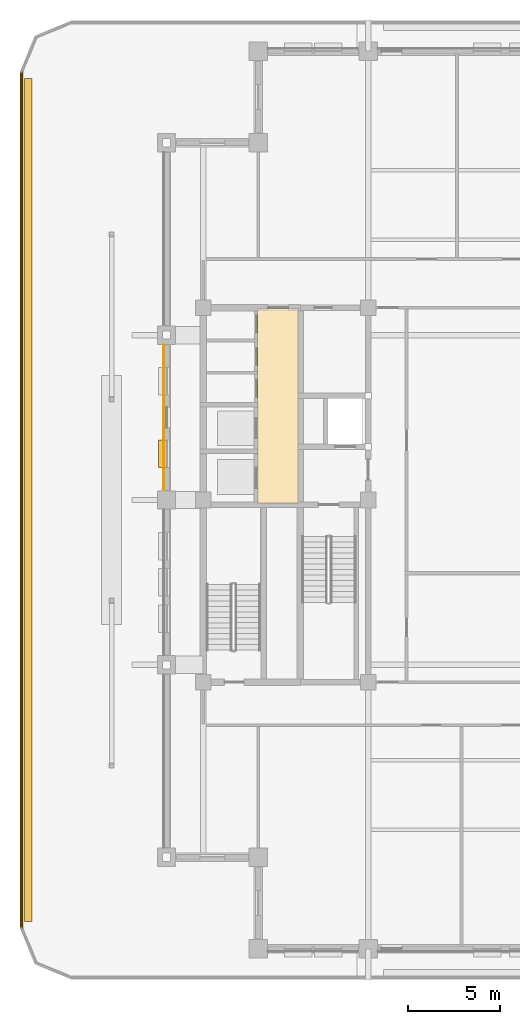
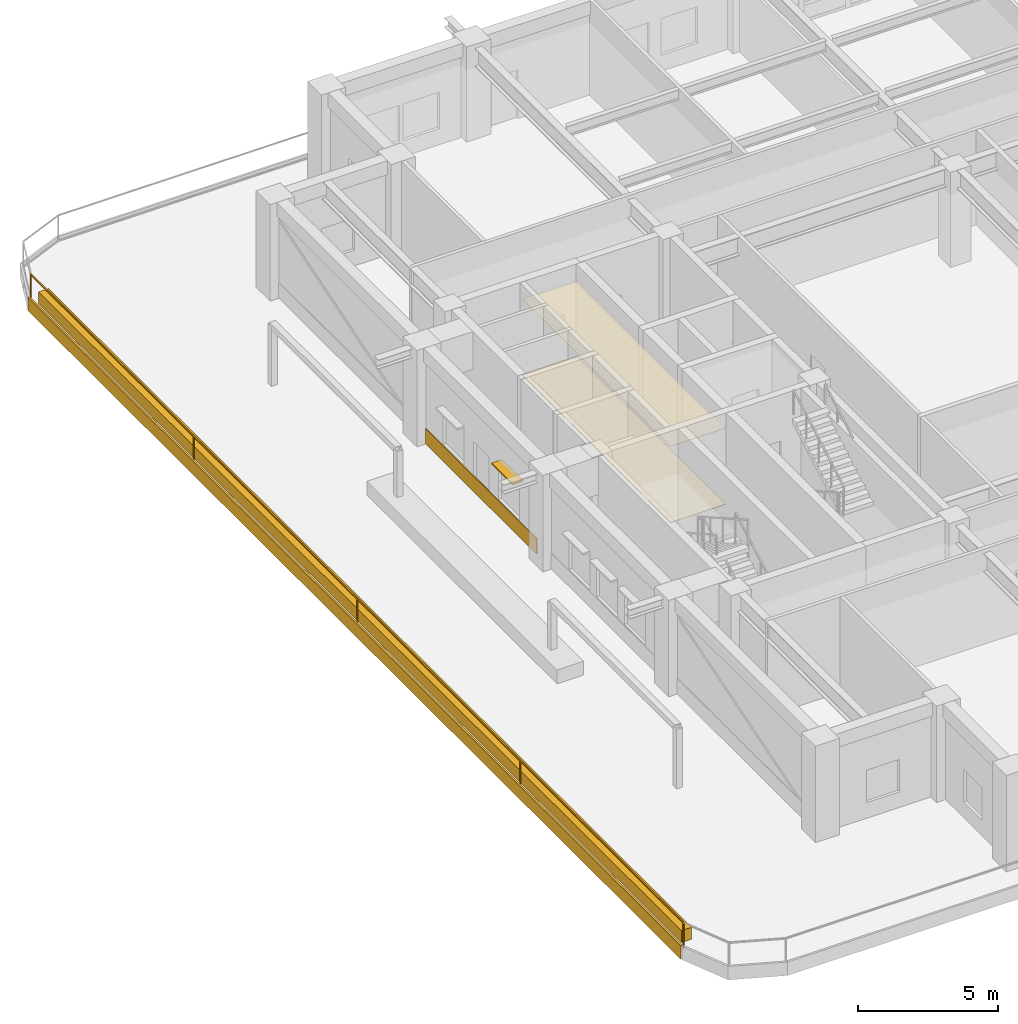
# One storey, part 15 of 20: 5 coverings, 1 railing, 1 shading device.
"""IFC4 building model written with IfcOpenShell, lengths in metres."""

from ifc_helpers import new_model, si_unit, direction, frame, frame_2d, origin, origin_2d, place, context, subcontext, project, spatial, polyline, rectangle, outline, extrude, material, layer, layer_set, type_object, element, save


model = new_model("IFC4")

# Units and contexts
model_context = context("Model", 3, precision=1e-05, world=origin(), true_north=direction((0.0, 1.0)))
body_context = subcontext(model_context, "Body", "Model", "MODEL_VIEW")
ifc_project = project(units=[si_unit("LENGTHUNIT", "METRE"), si_unit("AREAUNIT", "SQUARE_METRE"), si_unit("VOLUMEUNIT", "CUBIC_METRE"), si_unit("PLANEANGLEUNIT", "RADIAN"), si_unit("MASSUNIT", "GRAM", prefix="KILO")], contexts=[model_context])

# Site, building, storey
site_placement = place(None, origin())
site = spatial("IfcSite", under=ifc_project, at=site_placement, CompositionType="ELEMENT")
building_placement = place(site_placement, origin())
building = spatial("IfcBuilding", under=site, at=building_placement, Name="Zulmaris Gate Convention Tower", CompositionType="ELEMENT")
storey_placement = place(building_placement, frame((0.0, 0.0, 158.23974609375)))
storey = spatial("IfcBuildingStorey", under=building, at=storey_placement, Name="L40", CompositionType="ELEMENT", Elevation=158.23974609375)

# Coverings
ifc_material_1 = material(Name="Precast concrete C40/50", Category="concrete")
ifc_layer_1 = layer(ifc_material_1, 0.0400390625, Name="Precast concrete C40/50")
ifc_layer_set_1 = layer_set([ifc_layer_1], Name="Precast concrete C40/50")
covering_type_1 = type_object("IfcCoveringType", Name="CLAD-SPANDREL-PRECAST", PredefinedType="CLADDING", material=ifc_layer_set_1)
covering_1_placement = place(storey_placement, frame((-22.14990234375, 8.469970703125, 0.0), z_axis=(0.0, 0.0, 1.0), x_axis=(0.0, -1.0, 0.0)))
element("IfcCovering", 1, at=covering_1_placement, inside=storey, type_object=covering_type_1, Name="CLD-L40-W-2_0", PredefinedType="CLADDING", context=body_context, shape_type="SweptSolid", body=[
    extrude(rectangle(XDim=7.93994140625, YDim=0.0400390625, at=frame_2d((3.969970703125, 0.0))), origin(), (0.0, 0.0, 1.0), 0.679931640625),
])
ifc_material_2 = material(Name="White Glazed Architectural Precast Concrete C40/50", Category="concrete")
ifc_layer_2 = layer(ifc_material_2, 0.080078125, Name="White Glazed Architectural Precast Concrete C40/50")
ifc_layer_set_2 = layer_set([ifc_layer_2], Name="White Glazed Architectural Precast Concrete C40/50")
covering_type_2 = type_object("IfcCoveringType", Name="CLAD-TRAY-FASCIA", PredefinedType="CLADDING", material=ifc_layer_set_2)
covering_2_placement = place(storey_placement, frame((-29.9599609375, 23.35009765625, -0.465087890625), z_axis=(0.0, 0.0, 1.0), x_axis=(0.0, -1.0, 0.0)))
element("IfcCovering", 2, at=covering_2_placement, inside=storey, type_object=covering_type_2, Name="FSC-L40-TR-11", PredefinedType="CLADDING", context=body_context, shape_type="SweptSolid", body=[
    extrude(rectangle(XDim=46.7001953125, YDim=0.080078125, at=frame_2d((23.35009765625, 0.0))), origin(), (0.0, 0.0, 1.0), 0.5849609375),
])
ifc_material_3 = material(Name="Mineral Fibre Acoustic Ceiling Tile")
ifc_layer_3 = layer(ifc_material_3, 0.02001953125, Name="Mineral Fibre Acoustic Ceiling Tile")
ifc_layer_set_3 = layer_set([ifc_layer_3], Name="Mineral Fibre Acoustic Ceiling Tile")
covering_type_3 = type_object("IfcCoveringType", Name="CLG-ACOUSTIC-600", PredefinedType="CEILING", material=ifc_layer_set_3)
covering_3_placement = place(storey_placement, frame((0.0, 0.0, 3.328125)))
element("IfcCovering", 3, at=covering_3_placement, inside=storey, type_object=covering_type_3, Name="CLG-L40-R18", PredefinedType="CEILING", context=body_context, shape_type="SweptSolid", body=[
    extrude(outline(polyline([(-17.0400390625, -0.18994140625), (-14.760009765625, -0.18994140625), (-14.760009765625, 10.43994140625), (-17.0400390625, 10.43994140625), (-17.0400390625, -0.18994140625)])), origin(), (0.0, 0.0, 1.0), 0.02001953125),
])
ifc_material_4 = material(Name="Woven Acoustic Wool Carpet Tile")
ifc_layer_4 = layer(ifc_material_4, 0.02001953125, Name="Woven Acoustic Wool Carpet Tile")
ifc_layer_set_4 = layer_set([ifc_layer_4], Name="Woven Acoustic Wool Carpet Tile")
covering_type_4 = type_object("IfcCoveringType", Name="FLR-CARPET-12", PredefinedType="FLOORING", material=ifc_layer_set_4)
covering_4_placement = place(storey_placement, origin())
element("IfcCovering", 4, at=covering_4_placement, inside=storey, type_object=covering_type_4, Name="FLR-L40-R18", PredefinedType="FLOORING", context=body_context, shape_type="SweptSolid", body=[
    extrude(outline(polyline([(-17.0400390625, -0.18994140625), (-14.760009765625, -0.18994140625), (-14.760009765625, 10.43994140625), (-17.0400390625, 10.43994140625), (-17.0400390625, -0.18994140625)])), origin(), (0.0, 0.0, 1.0), 0.02001953125),
])
ifc_material_5 = material(Name="Botanical Green Glazed Precast Concrete C40/50", Category="concrete")
ifc_layer_5 = layer(ifc_material_5, 0.419921875, Name="Botanical Green Glazed Precast Concrete C40/50")
ifc_layer_set_5 = layer_set([ifc_layer_5], Name="Botanical Green Glazed Precast Concrete C40/50")
covering_type_5 = type_object("IfcCoveringType", Name="PLANTER-BOX-200", PredefinedType="CLADDING", material=ifc_layer_set_5)
covering_5_placement = place(storey_placement, frame((0.0, 0.0, -0.0400390625)))
element("IfcCovering", 5, at=covering_5_placement, inside=storey, type_object=covering_type_5, Name="L40 W Full-Length Balcony Tree Planter Trough", PredefinedType="CLADDING", context=body_context, shape_type="SweptSolid", body=[
    extrude(outline(polyline([(-29.760009765625, -23.0), (-29.340087890625, -23.0), (-29.340087890625, 23.0), (-29.760009765625, 23.0), (-29.760009765625, -23.0)])), origin(), (0.0, 0.0, 1.0), 0.52001953125),
])

# Railing
ifc_material_6 = material(Name="Laminated Glass and Stainless Steel", Category="steel")
railing_type = type_object("IfcRailingType", Name="RL-BALC-1150", PredefinedType="BALUSTRADE", material=ifc_material_6)
railing_placement = place(storey_placement, frame((-29.8798828125, 23.35009765625, -0.0400390625)))
element("IfcRailing", 6, at=railing_placement, inside=storey, type_object=railing_type, Name="RL-L40-BALC-W", PredefinedType="BALUSTRADE", context=body_context, shape_type="SweptSolid", body=[
    extrude(rectangle(XDim=0.048095703125, YDim=0.048095703125, at=origin_2d()), frame((0.0, 0.0, 1.1259765625), z_axis=(0.0, -1.0, 0.0), x_axis=(1.0, 0.0, 0.0)), (0.0, 0.0, 1.0), 46.7001953125),
    extrude(rectangle(XDim=0.048095703125, YDim=0.048095703125, at=origin_2d()), frame((0.0, 0.0, 0.02392578125), z_axis=(0.0, -1.0, 0.0), x_axis=(1.0, 0.0, 0.0)), (0.0, 0.0, 1.0), 46.7001953125),
    extrude(rectangle(XDim=0.0419921875, YDim=0.0419921875, at=origin_2d()), origin(), (0.0, 0.0, 1.0), 1.101806640625),
    extrude(rectangle(XDim=0.0419921875, YDim=0.0419921875, at=origin_2d()), frame((0.0, -11.675048828125, 0.0)), (0.0, 0.0, 1.0), 1.101806640625),
    extrude(rectangle(XDim=0.0419921875, YDim=0.0419921875, at=origin_2d()), frame((0.0, -23.35009765625, 0.0)), (0.0, 0.0, 1.0), 1.101806640625),
    extrude(rectangle(XDim=0.0419921875, YDim=0.0419921875, at=origin_2d()), frame((0.0, -35.025146484375, 0.0)), (0.0, 0.0, 1.0), 1.101806640625),
    extrude(rectangle(XDim=0.0419921875, YDim=0.0419921875, at=origin_2d()), frame((0.0, -46.7001953125, 0.0)), (0.0, 0.0, 1.0), 1.101806640625),
])

# Shading device
ifc_material_7 = material(Name="Glazed Ceramic Terracotta", Category="masonry")
ifc_layer_6 = layer(ifc_material_7, 0.070068359375, Name="Glazed Ceramic Terracotta")
ifc_layer_set_6 = layer_set([ifc_layer_6], Name="Glazed Ceramic Terracotta")
shading_device_type = type_object("IfcShadingDeviceType", Name="SHD-SUNSHADE-TC", PredefinedType="AWNING", material=ifc_layer_set_6)
shading_device_placement = place(storey_placement, frame((-22.219970703125, 3.264892578125, 2.349853515625), z_axis=(0.0, 0.0, 1.0), x_axis=(0.0, -1.0, 0.0)))
element("IfcShadingDevice", 7, at=shading_device_placement, inside=storey, type_object=shading_device_type, Name="SHD-EW-L40-W-2_0-3", PredefinedType="AWNING", context=body_context, shape_type="SweptSolid", body=[
    extrude(rectangle(XDim=1.5, YDim=0.43994140625, at=frame_2d((0.75, 0.0))), origin(), (0.0, 0.0, 1.0), 0.070068359375),
])

save(model, "model.ifc")
